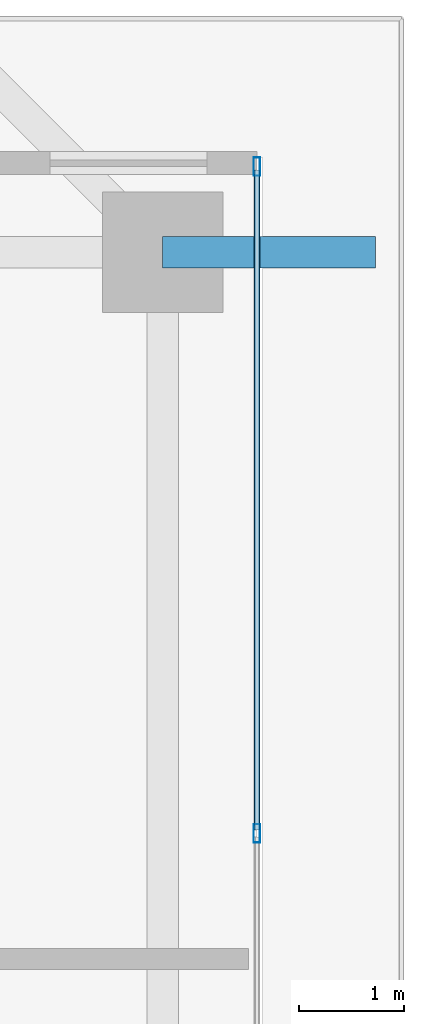
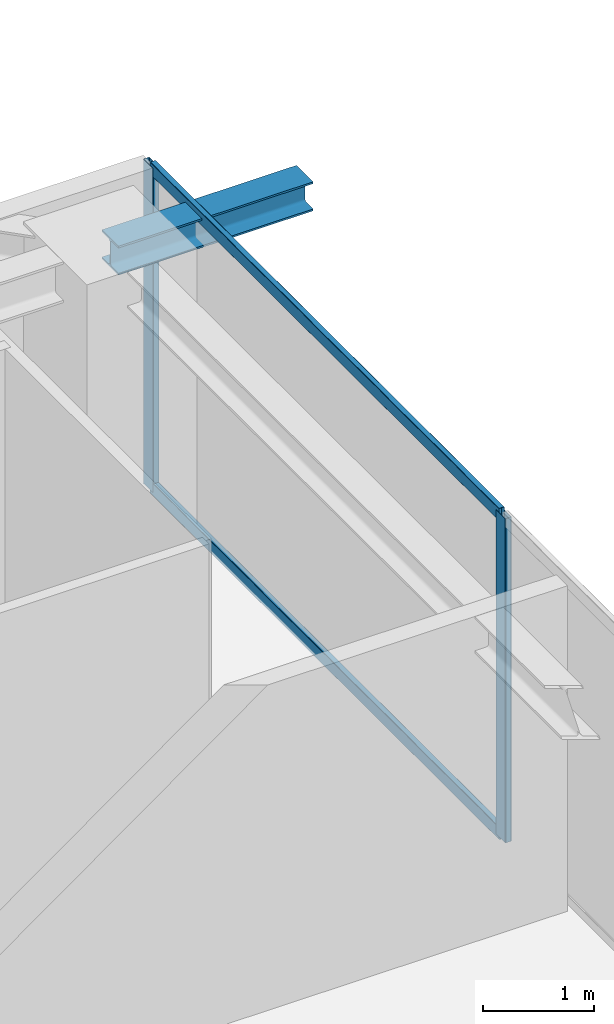
# One storey, part 24 of 38: 4 members, 1 beam, 1 element without a shape of its own.
"""IFC4 building model written with IfcOpenShell, lengths in metres."""

import ifcopenshell
import ifcopenshell.guid

model = None  # the IFC model being written
_history = None  # IfcOwnerHistory: only IFC2X3 demands one
_inside = {}  # id of a spatial element -> (the spatial element, [elements in it])
_under = {}  # id of a project, library or spatial element -> (it, [spatial elements below it])
_declared = {}  # id of a project -> (the project, [libraries it declares])
_typed = {}  # id of a type object -> (the type object, [elements of that type])
_made_of = {}  # id of a material, layer set ... -> (it, [elements and type objects made of it])


def new_model(schema):
    """Start an empty IFC model of exactly this schema.

    Asked for "IFC4X3", IfcOpenShell would pick the latest addendum, in which some entities
    have other attributes; the version numbers below select the first issue.
    IFC2X3 requires an IfcOwnerHistory on every rooted entity: one is made here for all.
    """
    global model, _history
    if schema == "IFC4X3":
        model = ifcopenshell.file(schema_version=(4, 3, 0, 0))
    else:
        model = ifcopenshell.file(schema=schema)
    _inside.clear()
    _under.clear()
    _declared.clear()
    _typed.clear()
    _made_of.clear()
    _history = None
    if model.schema == "IFC2X3":
        org = make("IfcOrganization", Name="unknown")
        user = make(
            "IfcPersonAndOrganization",
            ThePerson=make("IfcPerson", FamilyName="unknown"),
            TheOrganization=org,
        )
        app = make(
            "IfcApplication",
            ApplicationDeveloper=org,
            Version="unknown",
            ApplicationFullName="unknown",
            ApplicationIdentifier="unknown",
        )
        _history = make(
            "IfcOwnerHistory",
            OwningUser=user,
            OwningApplication=app,
            ChangeAction="ADDED",
            CreationDate=0,
        )
    return model


def make(cls, **values):
    """One entity of the class cls with the attributes given. An attribute that is None is left unset."""
    return model.create_entity(
        cls, **{name: value for name, value in values.items() if value is not None}
    )


def rooted(cls, **values):
    """An entity with a GlobalId (a new one), such as an element, a storey or a relation."""
    return make(cls, GlobalId=ifcopenshell.guid.new(), OwnerHistory=_history, **values)


def si_unit(unit_type, name, prefix=None):
    """IfcSIUnit, for example si_unit("LENGTHUNIT", "METRE", prefix="MILLI")."""
    return make("IfcSIUnit", UnitType=unit_type, Prefix=prefix, Name=name)


def assignment(units):
    """IfcUnitAssignment: the units of a project."""
    return None if units is None else make("IfcUnitAssignment", Units=units)


def point(xyz):
    """IfcCartesianPoint."""
    return None if xyz is None else make("IfcCartesianPoint", Coordinates=xyz)


def direction(xyz):
    """IfcDirection."""
    return None if xyz is None else make("IfcDirection", DirectionRatios=xyz)


def frame(location, z_axis=None, x_axis=None):
    """IfcAxis2Placement3D, a coordinate frame: its origin and axes. An axis left out is left unset."""
    return make(
        "IfcAxis2Placement3D",
        Location=point(location),
        Axis=direction(z_axis),
        RefDirection=direction(x_axis),
    )


def frame_2d(location, x_axis=None):
    """IfcAxis2Placement2D, a coordinate frame in the plane: its origin and x axis."""
    return make(
        "IfcAxis2Placement2D", Location=point(location), RefDirection=direction(x_axis)
    )


def origin():
    """The frame at (0, 0, 0) with its axes left unset."""
    return frame((0.0, 0.0, 0.0))


def origin_2d():
    """The frame at (0, 0) in the plane with its x axis left unset."""
    return frame_2d((0.0, 0.0))


def place(relative_to, where):
    """IfcLocalPlacement: puts the frame where relative to a parent placement (None: the world)."""
    return make(
        "IfcLocalPlacement", PlacementRelTo=relative_to, RelativePlacement=where
    )


def context(
    kind, dimensions, precision=None, world=None, true_north=None, identifier=None
):
    """IfcGeometricRepresentationContext, for example the 3D "Model" context."""
    return make(
        "IfcGeometricRepresentationContext",
        ContextIdentifier=identifier,
        ContextType=kind,
        CoordinateSpaceDimension=dimensions,
        Precision=precision,
        WorldCoordinateSystem=world,
        TrueNorth=true_north,
    )


def subcontext(parent, identifier, kind, view, scale=None):
    """IfcGeometricRepresentationSubContext, for example "Body" below "Model"."""
    return make(
        "IfcGeometricRepresentationSubContext",
        ContextIdentifier=identifier,
        ContextType=kind,
        ParentContext=parent,
        TargetScale=scale,
        TargetView=view,
    )


def project(units=None, contexts=None):
    """IfcProject with its units and contexts."""
    return rooted(
        "IfcProject",
        Name="project",
        RepresentationContexts=contexts,
        UnitsInContext=assignment(units),
    )


def spatial(cls, under=None, at=None, **own):
    """A site, building, storey or space (cls), placed at a placement, below another one or the project."""
    s = rooted(cls, ObjectPlacement=at, **own)
    if under is not None:
        _under.setdefault(under.id(), (under, []))[1].append(s)
    return s


def profile(cls, at=None, kind="AREA", **sizes):
    """A parametric profile (cls). Its sizes go by their IFC names, for example OverallWidth=200.0."""
    return make(cls, ProfileType=kind, Position=at, **sizes)


def hollow_rectangle(**sizes):
    """IfcRectangleHollowProfileDef."""
    return profile("IfcRectangleHollowProfileDef", **sizes)


def i_section(**sizes):
    """IfcIShapeProfileDef."""
    return profile("IfcIShapeProfileDef", **sizes)


def extrude(swept, where, along, depth):
    """IfcExtrudedAreaSolid: the profile swept, set in the frame where, extruded along a direction by depth."""
    return make(
        "IfcExtrudedAreaSolid",
        SweptArea=swept,
        Position=where,
        ExtrudedDirection=direction(along),
        Depth=depth,
    )


def shape(context_of_items, identifier, shape_type, items):
    """IfcShapeRepresentation: the items that make up one representation, for example the "Body"."""
    return make(
        "IfcShapeRepresentation",
        ContextOfItems=context_of_items,
        RepresentationIdentifier=identifier,
        RepresentationType=shape_type,
        Items=items,
    )


def source(mapping_origin, context_of_items, identifier, shape_type, items):
    """IfcRepresentationMap: a shape defined once, which mapped items show again and again."""
    return make(
        "IfcRepresentationMap",
        MappingOrigin=mapping_origin,
        MappedRepresentation=shape(context_of_items, identifier, shape_type, items),
    )


def transform(
    local_origin,
    x_axis=None,
    y_axis=None,
    z_axis=None,
    scale=None,
    scale2=None,
    scale3=None,
    uniform=True,
):
    """IfcCartesianTransformationOperator3D, or its non-uniform kind. x_axis, y_axis, z_axis: its Axis1, 2, 3."""
    if uniform:
        return make(
            "IfcCartesianTransformationOperator3D",
            Axis1=direction(x_axis),
            Axis2=direction(y_axis),
            LocalOrigin=point(local_origin),
            Scale=scale,
            Axis3=direction(z_axis),
        )
    return make(
        "IfcCartesianTransformationOperator3DnonUniform",
        Axis1=direction(x_axis),
        Axis2=direction(y_axis),
        LocalOrigin=point(local_origin),
        Scale=scale,
        Axis3=direction(z_axis),
        Scale2=scale2,
        Scale3=scale3,
    )


def mapped(mapping_source, mapping_target):
    """IfcMappedItem: shows the shape of a source again, moved by a transform."""
    return make(
        "IfcMappedItem", MappingSource=mapping_source, MappingTarget=mapping_target
    )


def material(Name=None, Category=None):
    """IfcMaterial."""
    return make("IfcMaterial", Name=Name, Category=Category)


def layer(
    of_material, thickness, ventilated=None, Name=None, Category=None, Priority=None
):
    """IfcMaterialLayer: one layer of a wall or slab, of a material (None: an air gap)."""
    return make(
        "IfcMaterialLayer",
        Material=of_material,
        LayerThickness=thickness,
        IsVentilated=ventilated,
        Name=Name,
        Category=Category,
        Priority=Priority,
    )


def layer_set(layers, Name=None):
    """IfcMaterialLayerSet."""
    return make("IfcMaterialLayerSet", MaterialLayers=layers, LayerSetName=Name)


def material_profile(
    of_material, cross_section, Name=None, Category=None, Priority=None
):
    """IfcMaterialProfile: a cross section and its material."""
    return make(
        "IfcMaterialProfile",
        Name=Name,
        Material=of_material,
        Profile=cross_section,
        Priority=Priority,
        Category=Category,
    )


def profile_set(profiles, Name=None, composite=None):
    """IfcMaterialProfileSet."""
    return make(
        "IfcMaterialProfileSet",
        Name=Name,
        MaterialProfiles=profiles,
        CompositeProfile=composite,
    )


def made_of(thing, what):
    """Note that an element or type object is made of a material, layer set ...; save() writes the relation."""
    if what is not None:
        _made_of.setdefault(what.id(), (what, []))[1].append(thing)
    return thing


def type_object(cls, material=None, **own):
    """A type object (cls), such as IfcWallType, which elements share."""
    return made_of(rooted(cls, **own), material)


def element(
    cls,
    number,
    at=None,
    inside=None,
    cuts=None,
    type_object=None,
    material=None,
    context=None,
    identifier="Body",
    shape_type=None,
    held_by="IfcProductDefinitionShape",
    body=None,
    shapes=None,
    **own,
):
    """One element of the class cls, such as IfcWall. Its Tag is "e" and its number.

    at: its placement. inside: the storey or other place that contains it. cuts: it is an
    opening in that element (IfcRelVoidsElement). A single representation is given by context,
    identifier, shape_type and body (its items); several are given by shapes. held_by: the class
    of the entity that holds the representations. save() writes the other relations.
    """
    e = rooted(cls, Tag="e%d" % number, ObjectPlacement=at, **own)
    if body is not None:
        shapes = [shape(context, identifier, shape_type, body)]
    if shapes is not None:
        e.Representation = make(held_by, Representations=shapes)
    if inside is not None:
        _inside.setdefault(inside.id(), (inside, []))[1].append(e)
    if cuts is not None:
        rooted(
            "IfcRelVoidsElement", RelatingBuildingElement=cuts, RelatedOpeningElement=e
        )
    if type_object is not None:
        _typed.setdefault(type_object.id(), (type_object, []))[1].append(e)
    return made_of(e, material)


def aggregate(whole, parts):
    """IfcRelAggregates: a whole, such as a stair, and the parts it consists of."""
    return rooted("IfcRelAggregates", RelatingObject=whole, RelatedObjects=parts)


def save(model, path):
    """Write the relations noted so far, then the file.

    IfcRelAggregates (storeys below a building ...), IfcRelContainedInSpatialStructure (elements
    in a storey), IfcRelDefinesByType, IfcRelAssociatesMaterial and IfcRelDeclares: one each for
    every whole, place, type object, material and project.
    """
    for whole, parts in _under.values():
        aggregate(whole, parts)
    for where, things in _inside.values():
        rooted(
            "IfcRelContainedInSpatialStructure",
            RelatedElements=things,
            RelatingStructure=where,
        )
    for kind, things in _typed.values():
        rooted("IfcRelDefinesByType", RelatedObjects=things, RelatingType=kind)
    for what, things in _made_of.values():
        rooted("IfcRelAssociatesMaterial", RelatedObjects=things, RelatingMaterial=what)
    for by, libraries in _declared.values():
        rooted("IfcRelDeclares", RelatingContext=by, RelatedDefinitions=libraries)
    model.write(path)


model = new_model("IFC4")

# Units and contexts
model_context = context("Model", 3, precision=1e-05, world=origin(), true_north=direction((0.0, 1.0)))
body_context = subcontext(model_context, "Body", "Model", "MODEL_VIEW")
ifc_project = project(units=[si_unit("LENGTHUNIT", "METRE"), si_unit("AREAUNIT", "SQUARE_METRE"), si_unit("VOLUMEUNIT", "CUBIC_METRE"), si_unit("PLANEANGLEUNIT", "RADIAN"), si_unit("MASSUNIT", "GRAM", prefix="KILO")], contexts=[model_context])

# Site, building, storey
site_placement = place(None, origin())
site = spatial("IfcSite", under=ifc_project, at=site_placement, CompositionType="ELEMENT")
building_placement = place(site_placement, origin())
building = spatial("IfcBuilding", under=site, at=building_placement, Name="Serunith Strait Residences", CompositionType="ELEMENT")
storey_placement = place(building_placement, frame((0.0, 0.0, 237.39990234375)))
storey = spatial("IfcBuildingStorey", under=building, at=storey_placement, Name="L59", CompositionType="ELEMENT", Elevation=237.39990234375)

# Beam
ifc_material_1 = material(Name="Steel S355J2", Category="steel")
ifc_material_profile_1 = material_profile(ifc_material_1, i_section(OverallWidth=0.300048828125, OverallDepth=0.320068359375, WebThickness=0.011474609375, FlangeThickness=0.0205078125, FilletRadius=0.027099609375, at=origin_2d()), Name="HEB 320")
ifc_profile_set_1 = profile_set([ifc_material_profile_1], Name="Steel S355J2")
beam_type = type_object("IfcBeamType", Name="BM-HEB320", PredefinedType="BEAM", material=ifc_profile_set_1)
shared_shape_1 = source(origin(), body_context, "Body", "SweptSolid", [
    extrude(i_section(OverallWidth=0.300048828125, OverallDepth=0.320068359375, WebThickness=0.011474609375, FlangeThickness=0.0205078125, FilletRadius=0.027099609375, at=origin_2d()), origin(), (0.0, 0.0, 1.0), 2.030029296875),
])
beam_placement = place(storey_placement, frame((56.5, 40.35009765625, 3.397216796875), z_axis=(1.0, 0.0, 0.0), x_axis=(0.0, 1.0, 0.0)))
element("IfcBeam", 1, at=beam_placement, inside=storey, type_object=beam_type, Name="L60 Cantilevered Balcony Rib TC-E4", PredefinedType="BEAM", context=body_context, shape_type="MappedRepresentation", body=[
    mapped(shared_shape_1, transform((0.0, 0.0, 0.0), scale=1.0)),
])

# Curtain wall, members
ifc_material_2 = material(Name="Pale-Champagne Anodised Aluminium", Category="aluminium")
ifc_layer = layer(ifc_material_2, 0.199951171875, Name="Pale-Champagne Anodised Aluminium")
ifc_layer_set = layer_set([ifc_layer], Name="Pale-Champagne Anodised Aluminium")
curtain_wall_type = type_object("IfcCurtainWallType", Name="CW-SYS4", PredefinedType="NOTDEFINED", material=ifc_layer_set)
curtain_wall_placement = place(storey_placement, origin())
curtain_wall = element("IfcCurtainWall", 2, at=curtain_wall_placement, inside=storey, type_object=curtain_wall_type, Name="L59 E Unitised Fritted Curtain Wall", PredefinedType="NOTDEFINED")
ifc_material_profile_2 = material_profile(ifc_material_2, hollow_rectangle(XDim=0.06005859375, YDim=0.139892578125, WallThickness=0.00341796875, InnerFilletRadius=0.00537109375, OuterFilletRadius=0.0087890625, at=origin_2d()), Name="ALU 140x60x3.5")
ifc_profile_set_2 = profile_set([ifc_material_profile_2], Name="Pale-Champagne Anodised Aluminium")
member_type_1 = type_object("IfcMemberType", Name="CW-SYS4-TRAN", PredefinedType="USERDEFINED", material=ifc_profile_set_2)
shared_shape_2 = source(origin(), body_context, "Body", "SweptSolid", [
    extrude(hollow_rectangle(XDim=0.06005859375, YDim=0.139892578125, WallThickness=0.00341796875, InnerFilletRadius=0.00537109375, OuterFilletRadius=0.0087890625, at=origin_2d()), origin(), (0.0, 0.0, 1.0), 6.302490234375),
])
member_1_placement = place(storey_placement, frame((57.39990234375, 34.83251953125, 0.030029296875), z_axis=(0.0, 1.0, 0.0), x_axis=(-1.0, 0.0, 0.0)))
member_1 = element("IfcMember", 3, at=member_1_placement, type_object=member_type_1, Name="CW-4 transom 5.1", ObjectType="TRANSOM", PredefinedType="USERDEFINED", context=body_context, shape_type="MappedRepresentation", body=[
    mapped(shared_shape_2, transform((0.0, 0.0, 0.0), scale=1.0)),
])
member_2_placement = place(storey_placement, frame((57.39990234375, 34.83251953125, 3.545166015625), z_axis=(0.0, 1.0, 0.0), x_axis=(-1.0, 0.0, 0.0)))
member_2 = element("IfcMember", 4, at=member_2_placement, type_object=member_type_1, Name="CW-4 transom 5.2", ObjectType="TRANSOM", PredefinedType="USERDEFINED", context=body_context, shape_type="MappedRepresentation", body=[
    mapped(shared_shape_2, transform((0.0, 0.0, 0.0), scale=1.0)),
])
ifc_material_profile_3 = material_profile(ifc_material_2, hollow_rectangle(XDim=0.06494140625, YDim=0.179931640625, WallThickness=0.00341796875, InnerFilletRadius=0.00537109375, OuterFilletRadius=0.0087890625, at=origin_2d()), Name="ALU 180x65x3.5")
ifc_profile_set_3 = profile_set([ifc_material_profile_3], Name="Pale-Champagne Anodised Aluminium")
member_type_2 = type_object("IfcMemberType", Name="CW-SYS4-MULL", PredefinedType="MULLION", material=ifc_profile_set_3)
shared_shape_3 = source(origin(), body_context, "Body", "SweptSolid", [
    extrude(hollow_rectangle(XDim=0.06494140625, YDim=0.179931640625, WallThickness=0.00341796875, InnerFilletRadius=0.00537109375, OuterFilletRadius=0.0087890625, at=origin_2d()), origin(), (0.0, 0.0, 1.0), 3.5751953125),
])
member_3_placement = place(storey_placement, frame((57.39990234375, 34.800048828125, 0.0), z_axis=(0.0, 0.0, 1.0), x_axis=(-1.0, 0.0, 0.0)))
member_3 = element("IfcMember", 5, at=member_3_placement, type_object=member_type_2, Name="CW-4 mullion 5", PredefinedType="MULLION", context=body_context, shape_type="MappedRepresentation", body=[
    mapped(shared_shape_3, transform((0.0, 0.0, 0.0), scale=1.0)),
])
member_4_placement = place(storey_placement, frame((57.39990234375, 41.16748046875, 0.0), z_axis=(0.0, 0.0, 1.0), x_axis=(-1.0, 0.0, 0.0)))
member_4 = element("IfcMember", 6, at=member_4_placement, type_object=member_type_2, Name="CW-4 mullion 6", PredefinedType="MULLION", context=body_context, shape_type="MappedRepresentation", body=[
    mapped(shared_shape_3, transform((0.0, 0.0, 0.0), scale=1.0)),
])
aggregate(curtain_wall, [member_3, member_4, member_1, member_2])

save(model, "model.ifc")
